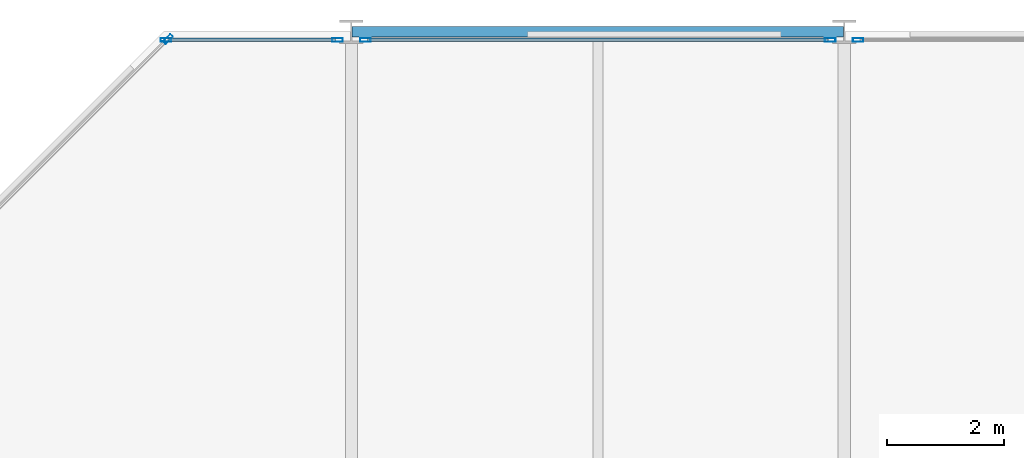
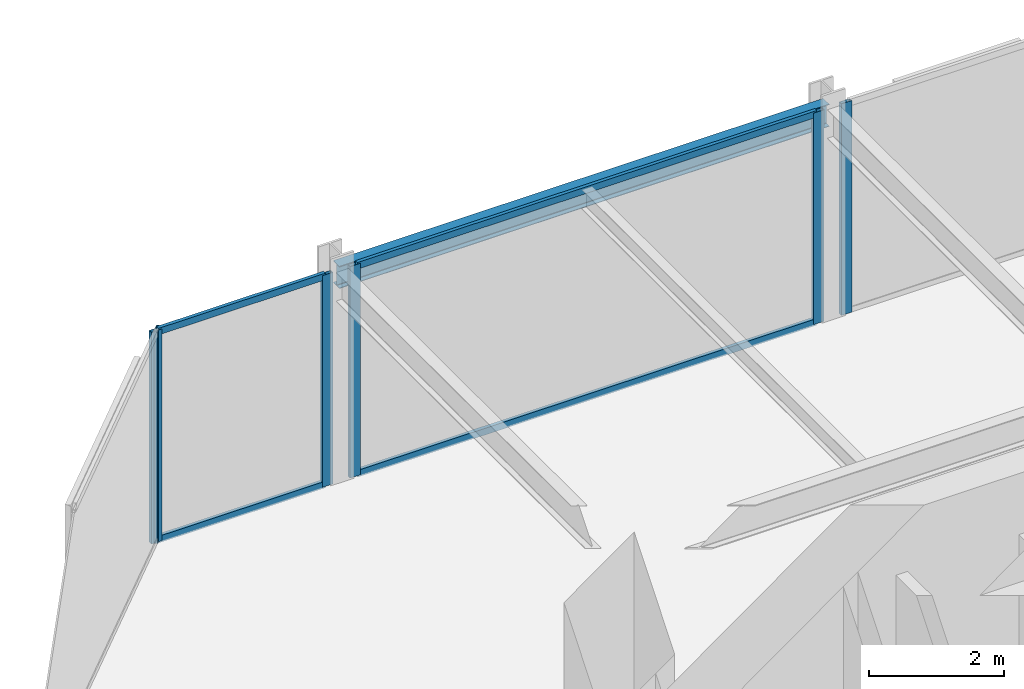
# One storey, part 21 of 29: 10 members, 1 beam, 4 elements without a shape of their own.
"""IFC4 building model written with IfcOpenShell, lengths in metres."""

import ifcopenshell
import ifcopenshell.guid

model = None  # the IFC model being written
_history = None  # IfcOwnerHistory: only IFC2X3 demands one
_inside = {}  # id of a spatial element -> (the spatial element, [elements in it])
_under = {}  # id of a project, library or spatial element -> (it, [spatial elements below it])
_declared = {}  # id of a project -> (the project, [libraries it declares])
_typed = {}  # id of a type object -> (the type object, [elements of that type])
_made_of = {}  # id of a material, layer set ... -> (it, [elements and type objects made of it])


def new_model(schema):
    """Start an empty IFC model of exactly this schema.

    Asked for "IFC4X3", IfcOpenShell would pick the latest addendum, in which some entities
    have other attributes; the version numbers below select the first issue.
    IFC2X3 requires an IfcOwnerHistory on every rooted entity: one is made here for all.
    """
    global model, _history
    if schema == "IFC4X3":
        model = ifcopenshell.file(schema_version=(4, 3, 0, 0))
    else:
        model = ifcopenshell.file(schema=schema)
    _inside.clear()
    _under.clear()
    _declared.clear()
    _typed.clear()
    _made_of.clear()
    _history = None
    if model.schema == "IFC2X3":
        org = make("IfcOrganization", Name="unknown")
        user = make(
            "IfcPersonAndOrganization",
            ThePerson=make("IfcPerson", FamilyName="unknown"),
            TheOrganization=org,
        )
        app = make(
            "IfcApplication",
            ApplicationDeveloper=org,
            Version="unknown",
            ApplicationFullName="unknown",
            ApplicationIdentifier="unknown",
        )
        _history = make(
            "IfcOwnerHistory",
            OwningUser=user,
            OwningApplication=app,
            ChangeAction="ADDED",
            CreationDate=0,
        )
    return model


def make(cls, **values):
    """One entity of the class cls with the attributes given. An attribute that is None is left unset."""
    return model.create_entity(
        cls, **{name: value for name, value in values.items() if value is not None}
    )


def rooted(cls, **values):
    """An entity with a GlobalId (a new one), such as an element, a storey or a relation."""
    return make(cls, GlobalId=ifcopenshell.guid.new(), OwnerHistory=_history, **values)


def si_unit(unit_type, name, prefix=None):
    """IfcSIUnit, for example si_unit("LENGTHUNIT", "METRE", prefix="MILLI")."""
    return make("IfcSIUnit", UnitType=unit_type, Prefix=prefix, Name=name)


def assignment(units):
    """IfcUnitAssignment: the units of a project."""
    return None if units is None else make("IfcUnitAssignment", Units=units)


def point(xyz):
    """IfcCartesianPoint."""
    return None if xyz is None else make("IfcCartesianPoint", Coordinates=xyz)


def direction(xyz):
    """IfcDirection."""
    return None if xyz is None else make("IfcDirection", DirectionRatios=xyz)


def frame(location, z_axis=None, x_axis=None):
    """IfcAxis2Placement3D, a coordinate frame: its origin and axes. An axis left out is left unset."""
    return make(
        "IfcAxis2Placement3D",
        Location=point(location),
        Axis=direction(z_axis),
        RefDirection=direction(x_axis),
    )


def frame_2d(location, x_axis=None):
    """IfcAxis2Placement2D, a coordinate frame in the plane: its origin and x axis."""
    return make(
        "IfcAxis2Placement2D", Location=point(location), RefDirection=direction(x_axis)
    )


def origin():
    """The frame at (0, 0, 0) with its axes left unset."""
    return frame((0.0, 0.0, 0.0))


def origin_2d():
    """The frame at (0, 0) in the plane with its x axis left unset."""
    return frame_2d((0.0, 0.0))


def place(relative_to, where):
    """IfcLocalPlacement: puts the frame where relative to a parent placement (None: the world)."""
    return make(
        "IfcLocalPlacement", PlacementRelTo=relative_to, RelativePlacement=where
    )


def context(
    kind, dimensions, precision=None, world=None, true_north=None, identifier=None
):
    """IfcGeometricRepresentationContext, for example the 3D "Model" context."""
    return make(
        "IfcGeometricRepresentationContext",
        ContextIdentifier=identifier,
        ContextType=kind,
        CoordinateSpaceDimension=dimensions,
        Precision=precision,
        WorldCoordinateSystem=world,
        TrueNorth=true_north,
    )


def subcontext(parent, identifier, kind, view, scale=None):
    """IfcGeometricRepresentationSubContext, for example "Body" below "Model"."""
    return make(
        "IfcGeometricRepresentationSubContext",
        ContextIdentifier=identifier,
        ContextType=kind,
        ParentContext=parent,
        TargetScale=scale,
        TargetView=view,
    )


def project(units=None, contexts=None):
    """IfcProject with its units and contexts."""
    return rooted(
        "IfcProject",
        Name="project",
        RepresentationContexts=contexts,
        UnitsInContext=assignment(units),
    )


def spatial(cls, under=None, at=None, **own):
    """A site, building, storey or space (cls), placed at a placement, below another one or the project."""
    s = rooted(cls, ObjectPlacement=at, **own)
    if under is not None:
        _under.setdefault(under.id(), (under, []))[1].append(s)
    return s


def profile(cls, at=None, kind="AREA", **sizes):
    """A parametric profile (cls). Its sizes go by their IFC names, for example OverallWidth=200.0."""
    return make(cls, ProfileType=kind, Position=at, **sizes)


def hollow_rectangle(**sizes):
    """IfcRectangleHollowProfileDef."""
    return profile("IfcRectangleHollowProfileDef", **sizes)


def i_section(**sizes):
    """IfcIShapeProfileDef."""
    return profile("IfcIShapeProfileDef", **sizes)


def extrude(swept, where, along, depth):
    """IfcExtrudedAreaSolid: the profile swept, set in the frame where, extruded along a direction by depth."""
    return make(
        "IfcExtrudedAreaSolid",
        SweptArea=swept,
        Position=where,
        ExtrudedDirection=direction(along),
        Depth=depth,
    )


def shape(context_of_items, identifier, shape_type, items):
    """IfcShapeRepresentation: the items that make up one representation, for example the "Body"."""
    return make(
        "IfcShapeRepresentation",
        ContextOfItems=context_of_items,
        RepresentationIdentifier=identifier,
        RepresentationType=shape_type,
        Items=items,
    )


def material(Name=None, Category=None):
    """IfcMaterial."""
    return make("IfcMaterial", Name=Name, Category=Category)


def layer(
    of_material, thickness, ventilated=None, Name=None, Category=None, Priority=None
):
    """IfcMaterialLayer: one layer of a wall or slab, of a material (None: an air gap)."""
    return make(
        "IfcMaterialLayer",
        Material=of_material,
        LayerThickness=thickness,
        IsVentilated=ventilated,
        Name=Name,
        Category=Category,
        Priority=Priority,
    )


def layer_set(layers, Name=None):
    """IfcMaterialLayerSet."""
    return make("IfcMaterialLayerSet", MaterialLayers=layers, LayerSetName=Name)


def material_profile(
    of_material, cross_section, Name=None, Category=None, Priority=None
):
    """IfcMaterialProfile: a cross section and its material."""
    return make(
        "IfcMaterialProfile",
        Name=Name,
        Material=of_material,
        Profile=cross_section,
        Priority=Priority,
        Category=Category,
    )


def profile_set(profiles, Name=None, composite=None):
    """IfcMaterialProfileSet."""
    return make(
        "IfcMaterialProfileSet",
        Name=Name,
        MaterialProfiles=profiles,
        CompositeProfile=composite,
    )


def made_of(thing, what):
    """Note that an element or type object is made of a material, layer set ...; save() writes the relation."""
    if what is not None:
        _made_of.setdefault(what.id(), (what, []))[1].append(thing)
    return thing


def type_object(cls, material=None, **own):
    """A type object (cls), such as IfcWallType, which elements share."""
    return made_of(rooted(cls, **own), material)


def element(
    cls,
    number,
    at=None,
    inside=None,
    cuts=None,
    type_object=None,
    material=None,
    context=None,
    identifier="Body",
    shape_type=None,
    held_by="IfcProductDefinitionShape",
    body=None,
    shapes=None,
    **own,
):
    """One element of the class cls, such as IfcWall. Its Tag is "e" and its number.

    at: its placement. inside: the storey or other place that contains it. cuts: it is an
    opening in that element (IfcRelVoidsElement). A single representation is given by context,
    identifier, shape_type and body (its items); several are given by shapes. held_by: the class
    of the entity that holds the representations. save() writes the other relations.
    """
    e = rooted(cls, Tag="e%d" % number, ObjectPlacement=at, **own)
    if body is not None:
        shapes = [shape(context, identifier, shape_type, body)]
    if shapes is not None:
        e.Representation = make(held_by, Representations=shapes)
    if inside is not None:
        _inside.setdefault(inside.id(), (inside, []))[1].append(e)
    if cuts is not None:
        rooted(
            "IfcRelVoidsElement", RelatingBuildingElement=cuts, RelatedOpeningElement=e
        )
    if type_object is not None:
        _typed.setdefault(type_object.id(), (type_object, []))[1].append(e)
    return made_of(e, material)


def aggregate(whole, parts):
    """IfcRelAggregates: a whole, such as a stair, and the parts it consists of."""
    return rooted("IfcRelAggregates", RelatingObject=whole, RelatedObjects=parts)


def save(model, path):
    """Write the relations noted so far, then the file.

    IfcRelAggregates (storeys below a building ...), IfcRelContainedInSpatialStructure (elements
    in a storey), IfcRelDefinesByType, IfcRelAssociatesMaterial and IfcRelDeclares: one each for
    every whole, place, type object, material and project.
    """
    for whole, parts in _under.values():
        aggregate(whole, parts)
    for where, things in _inside.values():
        rooted(
            "IfcRelContainedInSpatialStructure",
            RelatedElements=things,
            RelatingStructure=where,
        )
    for kind, things in _typed.values():
        rooted("IfcRelDefinesByType", RelatedObjects=things, RelatingType=kind)
    for what, things in _made_of.values():
        rooted("IfcRelAssociatesMaterial", RelatedObjects=things, RelatingMaterial=what)
    for by, libraries in _declared.values():
        rooted("IfcRelDeclares", RelatingContext=by, RelatedDefinitions=libraries)
    model.write(path)


model = new_model("IFC4")

# Units and contexts
model_context = context("Model", 3, precision=1e-05, world=origin(), true_north=direction((0.0, 1.0)))
body_context = subcontext(model_context, "Body", "Model", "MODEL_VIEW")
ifc_project = project(units=[si_unit("LENGTHUNIT", "METRE"), si_unit("AREAUNIT", "SQUARE_METRE"), si_unit("VOLUMEUNIT", "CUBIC_METRE"), si_unit("PLANEANGLEUNIT", "RADIAN"), si_unit("MASSUNIT", "GRAM", prefix="KILO")], contexts=[model_context])

# Site, building, storey
site_placement = place(None, origin())
site = spatial("IfcSite", under=ifc_project, at=site_placement, CompositionType="ELEMENT")
building_placement = place(site_placement, origin())
building = spatial("IfcBuilding", under=site, at=building_placement, Name="Nerrivon Quay Data Exchange", CompositionType="ELEMENT")
storey_placement = place(building_placement, frame((0.0, 0.0, 150.0)))
storey = spatial("IfcBuildingStorey", under=building, at=storey_placement, Name="L35", CompositionType="ELEMENT", Elevation=150.0)

# Beam
ifc_material_1 = material(Name="Steel Grade 350", Category="steel")
ifc_material_profile_1 = material_profile(ifc_material_1, i_section(OverallWidth=0.177978515625, OverallDepth=0.403076171875, WebThickness=0.007568359375, FlangeThickness=0.010986328125, FilletRadius=0.011474609375, at=origin_2d()), Name="410UB53.7")
ifc_profile_set_1 = profile_set([ifc_material_profile_1], Name="Steel Grade 350")
beam_type = type_object("IfcBeamType", Name="BM-SP2-410UB54", PredefinedType="SPANDREL", material=ifc_profile_set_1)
beam_placement = place(storey_placement, frame((8.41259765625, 50.39990234375, 3.62353515625), z_axis=(1.0, 0.0, 0.0), x_axis=(0.0, 1.0, 0.0)))
element("IfcBeam", 1, at=beam_placement, inside=storey, type_object=beam_type, Name="L35 EW Girder Y=50.4 (8.4..16.8)", PredefinedType="SPANDREL", context=body_context, shape_type="SweptSolid", body=[
    extrude(i_section(OverallWidth=0.177978515625, OverallDepth=0.403076171875, WebThickness=0.007568359375, FlangeThickness=0.010986328125, FilletRadius=0.011474609375, at=origin_2d()), origin(), (0.0, 0.0, 1.0), 8.375),
])

# Curtain wall, member
ifc_material_2 = material(Name="Anodised aluminium 6063-T6", Category="aluminium")
ifc_layer = layer(ifc_material_2, 0.2099609375)
ifc_layer_set = layer_set([ifc_layer], Name="Anodised aluminium 6063-T6")
curtain_wall_type = type_object("IfcCurtainWallType", Name="CW-SYS-02", PredefinedType="NOTDEFINED", material=ifc_layer_set)
curtain_wall_1_placement = place(storey_placement, origin())
curtain_wall_1 = element("IfcCurtainWall", 2, at=curtain_wall_1_placement, inside=storey, type_object=curtain_wall_type, Name="L35 Unitised Curtain Wall 17", PredefinedType="NOTDEFINED")
ifc_material_profile_2 = material_profile(ifc_material_2, hollow_rectangle(XDim=0.06494140625, YDim=0.179931640625, WallThickness=0.00341796875, at=origin_2d()), Name="ALU-MULL-180x65")
ifc_profile_set_2 = profile_set([ifc_material_profile_2], Name="Anodised aluminium 6063-T6")
member_type_1 = type_object("IfcMemberType", Name="CWM-180x65", PredefinedType="MULLION", material=ifc_profile_set_2)
member_1_placement = place(storey_placement, frame((5.2724609375, 50.2744140625, 0.0), z_axis=(0.0, 0.0, 1.0), x_axis=(-0.707106781187, 0.707106781187, 0.0)))
member_1 = element("IfcMember", 3, at=member_1_placement, type_object=member_type_1, Name="CW02 mullion 2", PredefinedType="MULLION", context=body_context, shape_type="SweptSolid", body=[
    extrude(hollow_rectangle(XDim=0.06494140625, YDim=0.179931640625, WallThickness=0.00341796875, at=origin_2d()), origin(), (0.0, 0.0, 1.0), 3.824951171875),
])
aggregate(curtain_wall_1, [member_1])

# Curtain wall, members
curtain_wall_2_placement = place(storey_placement, origin())
curtain_wall_2 = element("IfcCurtainWall", 4, at=curtain_wall_2_placement, inside=storey, type_object=curtain_wall_type, Name="L35 Unitised Curtain Wall 18", PredefinedType="NOTDEFINED")
member_2_placement = place(storey_placement, frame((5.237548828125, 50.260009765625, 0.0), z_axis=(0.0, 0.0, 1.0), x_axis=(0.0, 1.0, 0.0)))
member_2 = element("IfcMember", 5, at=member_2_placement, type_object=member_type_1, Name="CW02 mullion 1", PredefinedType="MULLION", context=body_context, shape_type="SweptSolid", body=[
    extrude(hollow_rectangle(XDim=0.06494140625, YDim=0.179931640625, WallThickness=0.00341796875, at=origin_2d()), origin(), (0.0, 0.0, 1.0), 3.824951171875),
])
member_3_placement = place(storey_placement, frame((8.16259765625, 50.260009765625, 0.0), z_axis=(0.0, 0.0, 1.0), x_axis=(0.0, 1.0, 0.0)))
member_3 = element("IfcMember", 6, at=member_3_placement, type_object=member_type_1, Name="CW02 mullion 2", PredefinedType="MULLION", context=body_context, shape_type="SweptSolid", body=[
    extrude(hollow_rectangle(XDim=0.06494140625, YDim=0.179931640625, WallThickness=0.00341796875, at=origin_2d()), origin(), (0.0, 0.0, 1.0), 3.824951171875),
])

curtain_wall_3_placement = place(storey_placement, origin())
curtain_wall_3 = element("IfcCurtainWall", 7, at=curtain_wall_3_placement, inside=storey, type_object=curtain_wall_type, Name="L35 Unitised Curtain Wall 19", PredefinedType="NOTDEFINED")
member_4_placement = place(storey_placement, frame((8.637451171875, 50.260009765625, 0.0), z_axis=(0.0, 0.0, 1.0), x_axis=(0.0, 1.0, 0.0)))
member_4 = element("IfcMember", 8, at=member_4_placement, type_object=member_type_1, Name="CW02 mullion 1", PredefinedType="MULLION", context=body_context, shape_type="SweptSolid", body=[
    extrude(hollow_rectangle(XDim=0.06494140625, YDim=0.179931640625, WallThickness=0.00341796875, at=origin_2d()), origin(), (0.0, 0.0, 1.0), 3.824951171875),
])
member_5_placement = place(storey_placement, frame((16.5625, 50.260009765625, 0.0), z_axis=(0.0, 0.0, 1.0), x_axis=(0.0, 1.0, 0.0)))
member_5 = element("IfcMember", 9, at=member_5_placement, type_object=member_type_1, Name="CW02 mullion 2", PredefinedType="MULLION", context=body_context, shape_type="SweptSolid", body=[
    extrude(hollow_rectangle(XDim=0.06494140625, YDim=0.179931640625, WallThickness=0.00341796875, at=origin_2d()), origin(), (0.0, 0.0, 1.0), 3.824951171875),
])

# Curtain wall, member
curtain_wall_4_placement = place(storey_placement, origin())
curtain_wall_4 = element("IfcCurtainWall", 10, at=curtain_wall_4_placement, inside=storey, type_object=curtain_wall_type, Name="L35 Unitised Curtain Wall 20", PredefinedType="NOTDEFINED")
member_6_placement = place(storey_placement, frame((17.03759765625, 50.260009765625, 0.0), z_axis=(0.0, 0.0, 1.0), x_axis=(0.0, 1.0, 0.0)))
member_6 = element("IfcMember", 11, at=member_6_placement, type_object=member_type_1, Name="CW02 mullion 1", PredefinedType="MULLION", context=body_context, shape_type="SweptSolid", body=[
    extrude(hollow_rectangle(XDim=0.06494140625, YDim=0.179931640625, WallThickness=0.00341796875, at=origin_2d()), origin(), (0.0, 0.0, 1.0), 3.824951171875),
])
aggregate(curtain_wall_4, [member_6])

# Member
ifc_material_profile_3 = material_profile(ifc_material_2, hollow_rectangle(XDim=0.06005859375, YDim=0.1201171875, WallThickness=0.003173828125, at=origin_2d()), Name="ALU-TRAN-120x60")
ifc_profile_set_3 = profile_set([ifc_material_profile_3], Name="Anodised aluminium 6063-T6")
member_type_2 = type_object("IfcMemberType", Name="CWT-120x60", PredefinedType="USERDEFINED", material=ifc_profile_set_3)
member_7_placement = place(storey_placement, frame((5.27490234375, 50.260009765625, 0.032470703125), z_axis=(1.0, 0.0, 0.0), x_axis=(0.0, 1.0, 0.0)))
member_7 = element("IfcMember", 12, at=member_7_placement, type_object=member_type_2, Name="CW02 transom 1.1", ObjectType="TRANSOM", PredefinedType="USERDEFINED", context=body_context, shape_type="SweptSolid", body=[
    extrude(hollow_rectangle(XDim=0.06005859375, YDim=0.1201171875, WallThickness=0.003173828125, at=origin_2d()), origin(), (0.0, 0.0, 1.0), 2.85009765625),
])

member_8_placement = place(storey_placement, frame((5.27490234375, 50.260009765625, 3.79248046875), z_axis=(1.0, 0.0, 0.0), x_axis=(0.0, 1.0, 0.0)))
member_8 = element("IfcMember", 13, at=member_8_placement, type_object=member_type_2, Name="CW02 transom 1.2", ObjectType="TRANSOM", PredefinedType="USERDEFINED", context=body_context, shape_type="SweptSolid", body=[
    extrude(hollow_rectangle(XDim=0.06005859375, YDim=0.1201171875, WallThickness=0.003173828125, at=origin_2d()), origin(), (0.0, 0.0, 1.0), 2.85009765625),
])

aggregate(curtain_wall_2, [member_2, member_3, member_7, member_8])

member_9_placement = place(storey_placement, frame((8.675048828125, 50.260009765625, 0.032470703125), z_axis=(1.0, 0.0, 0.0), x_axis=(0.0, 1.0, 0.0)))
member_9 = element("IfcMember", 14, at=member_9_placement, type_object=member_type_2, Name="CW02 transom 1.1", ObjectType="TRANSOM", PredefinedType="USERDEFINED", context=body_context, shape_type="SweptSolid", body=[
    extrude(hollow_rectangle(XDim=0.06005859375, YDim=0.1201171875, WallThickness=0.003173828125, at=origin_2d()), origin(), (0.0, 0.0, 1.0), 7.849853515625),
])

member_10_placement = place(storey_placement, frame((8.675048828125, 50.260009765625, 3.79248046875), z_axis=(1.0, 0.0, 0.0), x_axis=(0.0, 1.0, 0.0)))
member_10 = element("IfcMember", 15, at=member_10_placement, type_object=member_type_2, Name="CW02 transom 1.2", ObjectType="TRANSOM", PredefinedType="USERDEFINED", context=body_context, shape_type="SweptSolid", body=[
    extrude(hollow_rectangle(XDim=0.06005859375, YDim=0.1201171875, WallThickness=0.003173828125, at=origin_2d()), origin(), (0.0, 0.0, 1.0), 7.849853515625),
])

aggregate(curtain_wall_3, [member_4, member_5, member_9, member_10])

save(model, "model.ifc")
